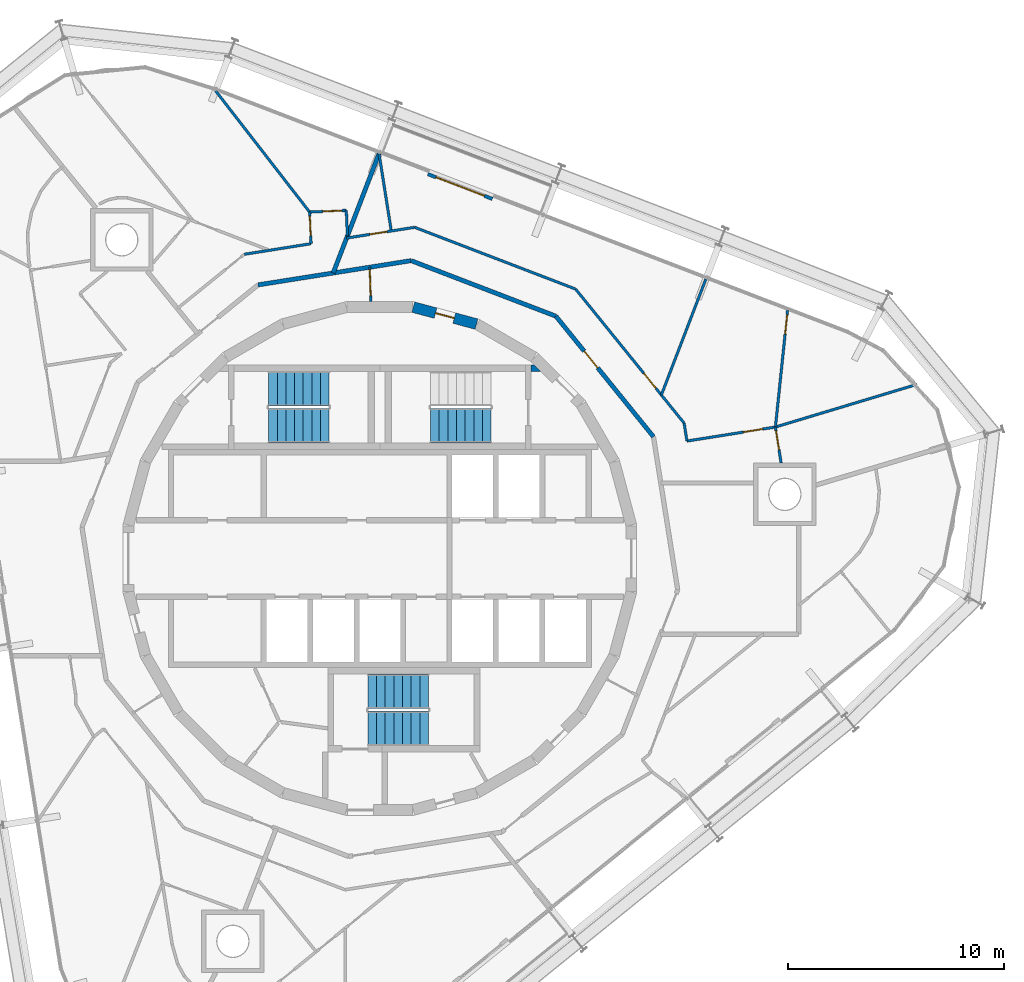
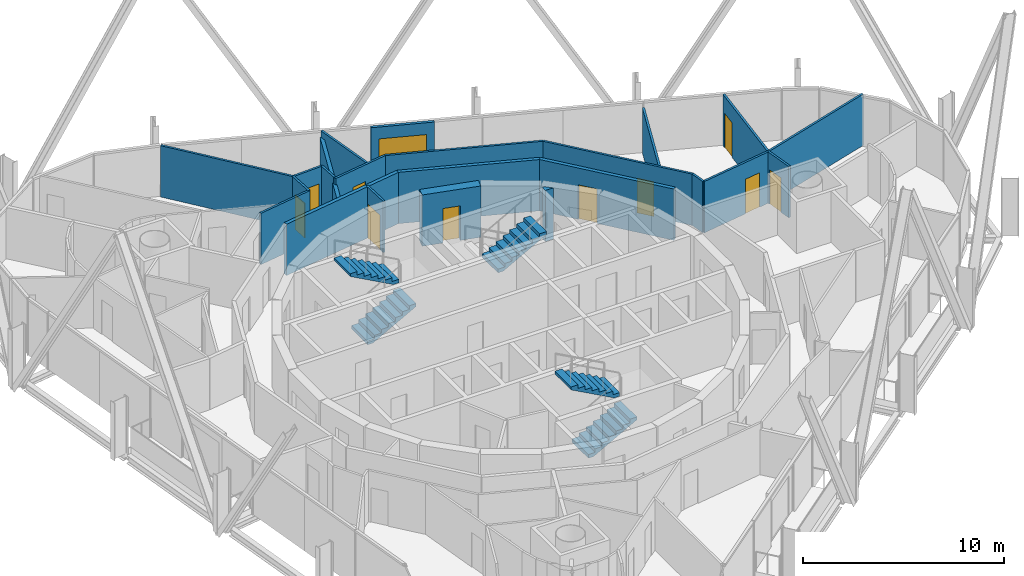
# One storey, part 16 of 18: 23 walls, 11 doors, 5 stair flights, 11 openings, 3 elements without a shape of their own.
"""IFC4 building model written with IfcOpenShell, lengths in metres."""

from ifc_helpers import new_model, si_unit, direction, frame, frame_2d, origin, place, context, subcontext, project, spatial, polyline, rectangle, outline, extrude, material, layer, layer_set, type_object, element, fill, aggregate, save


model = new_model("IFC4")

# Units and contexts
model_context = context("Model", 3, precision=1e-05, world=origin(), true_north=direction((0.0, 1.0)))
body_context = subcontext(model_context, "Body", "Model", "MODEL_VIEW")
ifc_project = project(units=[si_unit("LENGTHUNIT", "METRE"), si_unit("AREAUNIT", "SQUARE_METRE"), si_unit("VOLUMEUNIT", "CUBIC_METRE"), si_unit("PLANEANGLEUNIT", "RADIAN"), si_unit("MASSUNIT", "GRAM", prefix="KILO")], contexts=[model_context])

# Site, building, storey
site_placement = place(None, origin())
site = spatial("IfcSite", under=ifc_project, at=site_placement, CompositionType="ELEMENT")
building_placement = place(site_placement, origin())
building = spatial("IfcBuilding", under=site, at=building_placement, Name="Spindle Arch Residences", CompositionType="ELEMENT")
storey_placement = place(building_placement, frame((0.0, 0.0, 277.39990234375)))
storey = spatial("IfcBuildingStorey", under=building, at=storey_placement, Name="L71", CompositionType="ELEMENT", Elevation=277.39990234375)

# Wall, opening, door
ifc_material_1 = material(Name="Concrete C50/60", Category="concrete")
ifc_layer_1 = layer(ifc_material_1, 0.5)
ifc_layer_set_1 = layer_set([ifc_layer_1], Name="Core outline wall 500")
wall_type_1 = type_object("IfcWallType", Name="Core outline wall 500", PredefinedType="SHEAR", material=ifc_layer_set_1)
wall_1_placement = place(storey_placement, frame((4.479248046875, 10.858154296875, 0.0), z_axis=(0.0, 0.0, 1.0), x_axis=(-0.965948410781, 0.258734743916, 0.0)))
wall_1 = element("IfcWall", 1, at=wall_1_placement, inside=storey, type_object=wall_type_1, Name="Core outline wall 11", PredefinedType="SHEAR", context=body_context, shape_type="SweptSolid", body=[
    extrude(rectangle(XDim=3.03271484375, YDim=0.5, at=frame_2d((1.516357421875, 0.0))), origin(), (0.0, 0.0, 1.0), 3.1201171875),
])
opening_1_placement = place(wall_1_placement, frame((1.066162109375, 0.0, 0.0)))
opening_1 = element("IfcOpeningElement", 2, at=opening_1_placement, cuts=wall_1, Name="Opening R7B0-WD11", PredefinedType="OPENING", context=body_context, shape_type="SweptSolid", body=[
    extrude(rectangle(XDim=0.89990234375, YDim=2.10009765625, at=frame_2d((0.449951171875, 1.050048828125))), frame((0.0, 0.260009765625, 0.0), z_axis=(0.0, -1.0, 0.0), x_axis=(1.0, 0.0, 0.0)), (0.0, 0.0, 1.0), 0.52001953125),
])
ifc_material_2 = material(Name="Steel, fire-resisting door", Category="steel")
door_type_1 = type_object("IfcDoorType", Name="Service room door 900x2100", OperationType="SINGLE_SWING_LEFT", PredefinedType="DOOR", material=ifc_material_2)
door_1_placement = place(opening_1_placement, origin())
door_1 = element("IfcDoor", 3, at=door_1_placement, inside=storey, type_object=door_type_1, Name="Service room door R7B0-WD11", OperationType="SINGLE_SWING_LEFT", OverallHeight=2.10009765625, OverallWidth=0.89990234375, PredefinedType="DOOR", context=body_context, shape_type="SweptSolid", body=[
    extrude(rectangle(XDim=0.89990234375, YDim=2.10009765625, at=frame_2d((0.449951171875, 1.050048828125))), frame((0.0, 0.02490234375, 0.0), z_axis=(0.0, -1.0, 0.0), x_axis=(1.0, 0.0, 0.0)), (0.0, 0.0, 1.0), 0.050048828125),
])
fill(opening_1, door_1)

ifc_material_3 = material(Name="Plasterboard on steel studs", Category="steel")
ifc_layer_2 = layer(ifc_material_3, 0.1201171875)
ifc_layer_set_2 = layer_set([ifc_layer_2], Name="Corridor division wall 120")
wall_type_2 = type_object("IfcWallType", Name="Corridor division wall 120", PredefinedType="PARTITIONING", material=ifc_layer_set_2)
wall_2_placement = place(storey_placement, frame((-0.47119140625, 13.492431640625, 0.0), z_axis=(0.0, 0.0, 1.0), x_axis=(0.034873173869, -0.999391745886, 0.0)))
wall_2 = element("IfcWall", 4, at=wall_2_placement, inside=storey, type_object=wall_type_2, Name="Corridor division wall R7B0-W001", PredefinedType="PARTITIONING", context=body_context, shape_type="SweptSolid", body=[
    extrude(rectangle(XDim=1.59619140625, YDim=0.1201171875, at=frame_2d((0.798095703125, 0.0))), origin(), (0.0, 0.0, 1.0), 3.1201171875),
])
opening_2_placement = place(wall_2_placement, frame((0.1201171875, 0.0, 0.0)))
opening_2 = element("IfcOpeningElement", 5, at=opening_2_placement, cuts=wall_2, Name="Opening R7B0-CD01", PredefinedType="OPENING", context=body_context, shape_type="SweptSolid", body=[
    extrude(rectangle(XDim=1.199951171875, YDim=2.10009765625, at=frame_2d((0.60009765625, 1.050048828125))), frame((0.0, 0.070068359375, 0.0), z_axis=(0.0, -1.0, 0.0), x_axis=(1.0, 0.0, 0.0)), (0.0, 0.0, 1.0), 0.14013671875),
])
ifc_material_4 = material(Name="Steel, fire-resisting door", Category="steel")
door_type_2 = type_object("IfcDoorType", Name="Corridor division door 1200x2100", OperationType="NOTDEFINED", PredefinedType="DOOR", material=ifc_material_4)
door_2_placement = place(opening_2_placement, origin())
door_2 = element("IfcDoor", 6, at=door_2_placement, inside=storey, type_object=door_type_2, Name="Corridor division door R7B0-CD01", OperationType="DOUBLE_DOOR_SINGLE_SWING", OverallHeight=2.10009765625, OverallWidth=1.199951171875, PredefinedType="DOOR", context=body_context, shape_type="SweptSolid", body=[
    extrude(rectangle(XDim=1.199951171875, YDim=2.10009765625, at=frame_2d((0.60009765625, 1.050048828125))), frame((0.0, 0.02490234375, 0.0), z_axis=(0.0, -1.0, 0.0), x_axis=(1.0, 0.0, 0.0)), (0.0, 0.0, 1.0), 0.050048828125),
])
fill(opening_2, door_2)

ifc_material_5 = material(Name="Calcium silicate block, plastered")
ifc_layer_3 = layer(ifc_material_5, 0.199951171875)
ifc_layer_set_3 = layer_set([ifc_layer_3], Name="Corridor wall 200")
wall_type_3 = type_object("IfcWallType", Name="Corridor wall 200", PredefinedType="STANDARD", material=ifc_layer_set_3)
wall_3_placement = place(storey_placement, frame((12.67333984375, 5.642578125, 0.0), z_axis=(0.0, 0.0, 1.0), x_axis=(-0.629302871585, 0.777160148113, 0.0)))
wall_3 = element("IfcWall", 7, at=wall_3_placement, inside=storey, type_object=wall_type_3, Name="Corridor wall R7B0-W006", PredefinedType="STANDARD", context=body_context, shape_type="SweptSolid", body=[
    extrude(rectangle(XDim=7.180908203125, YDim=0.199951171875, at=frame_2d((3.59033203125, 0.0))), origin(), (0.0, 0.0, 1.0), 3.1201171875),
])
opening_3_placement = place(wall_3_placement, frame((4.10009765625, 0.0, 0.0)))
opening_3 = element("IfcOpeningElement", 8, at=opening_3_placement, cuts=wall_3, Name="Opening R7B0-FD01", PredefinedType="OPENING", context=body_context, shape_type="SweptSolid", body=[
    extrude(rectangle(XDim=1.0, YDim=2.10009765625, at=frame_2d((0.5, 1.050048828125))), frame((0.0, 0.10986328125, 0.0), z_axis=(0.0, -1.0, 0.0), x_axis=(1.0, 0.0, 0.0)), (0.0, 0.0, 1.0), 0.219970703125),
])
ifc_material_6 = material(Name="Timber, fire-resisting door set", Category="wood")
door_type_3 = type_object("IfcDoorType", Name="Flat entrance door 1000x2100", OperationType="NOTDEFINED", PredefinedType="DOOR", material=ifc_material_6)
door_3_placement = place(opening_3_placement, origin())
door_3 = element("IfcDoor", 9, at=door_3_placement, inside=storey, type_object=door_type_3, Name="Flat entrance door R7B0-FD01", OperationType="SINGLE_SWING_LEFT", OverallHeight=2.10009765625, OverallWidth=1.0, PredefinedType="DOOR", context=body_context, shape_type="SweptSolid", body=[
    extrude(rectangle(XDim=1.0, YDim=2.10009765625, at=frame_2d((0.5, 1.050048828125))), frame((0.0, 0.02490234375, 0.0), z_axis=(0.0, -1.0, 0.0), x_axis=(1.0, 0.0, 0.0)), (0.0, 0.0, 1.0), 0.050048828125),
])
fill(opening_3, door_3)

# Walls
wall_4_placement = place(storey_placement, frame((8.154296875, 11.223388671875, 0.0), z_axis=(0.0, 0.0, 1.0), x_axis=(-0.93359073609, 0.358341090983, 0.0)))
element("IfcWall", 10, at=wall_4_placement, inside=storey, type_object=wall_type_3, Name="Corridor wall R7B0-W007", PredefinedType="STANDARD", context=body_context, shape_type="SweptSolid", body=[
    extrude(rectangle(XDim=7.180908203125, YDim=0.199951171875, at=frame_2d((3.59033203125, 0.0))), origin(), (0.0, 0.0, 1.0), 3.1201171875),
])
wall_5_placement = place(storey_placement, frame((1.4501953125, 13.796630859375, 0.0), z_axis=(0.0, 0.0, 1.0), x_axis=(-0.987690361611, -0.156421704315, 0.0)))
element("IfcWall", 11, at=wall_5_placement, inside=storey, type_object=wall_type_3, Name="Corridor wall R7B0-W008", PredefinedType="STANDARD", context=body_context, shape_type="SweptSolid", body=[
    extrude(rectangle(XDim=7.18115234375, YDim=0.199951171875, at=frame_2d((3.590576171875, 0.0))), origin(), (0.0, 0.0, 1.0), 3.1201171875),
])

# Wall, opening, door
ifc_material_7 = material(Name="Plasterboard on steel studs", Category="steel")
ifc_layer_4 = layer(ifc_material_7, 0.1201171875)
ifc_layer_set_4 = layer_set([ifc_layer_4], Name="Flat partition 120")
wall_type_4 = type_object("IfcWallType", Name="Flat partition 120", PredefinedType="PARTITIONING", material=ifc_layer_set_4)
wall_6_placement = place(storey_placement, frame((18.5869140625, 4.421142578125, 0.0), z_axis=(0.0, 0.0, 1.0), x_axis=(-0.156474488977, 0.987682000595, 0.0)))
wall_6 = element("IfcWall", 12, at=wall_6_placement, inside=storey, type_object=wall_type_4, Name="Flat partition R7B0-W031", PredefinedType="PARTITIONING", context=body_context, shape_type="SweptSolid", body=[
    extrude(rectangle(XDim=1.689697265625, YDim=0.1201171875, at=frame_2d((0.8447265625, 0.0))), origin(), (0.0, 0.0, 1.0), 3.1201171875),
])
opening_4_placement = place(wall_6_placement, frame((0.6201171875, 0.0, 0.0)))
opening_4 = element("IfcOpeningElement", 13, at=opening_4_placement, cuts=wall_6, Name="Opening R7B0-ID01", PredefinedType="OPENING", context=body_context, shape_type="SweptSolid", body=[
    extrude(rectangle(XDim=0.89990234375, YDim=2.10009765625, at=frame_2d((0.449951171875, 1.050048828125))), frame((0.0, 0.070068359375, 0.0), z_axis=(0.0, -1.0, 0.0), x_axis=(1.0, 0.0, 0.0)), (0.0, 0.0, 1.0), 0.14013671875),
])
ifc_material_8 = material(Name="Timber door set", Category="wood")
door_type_4 = type_object("IfcDoorType", Name="Room door 900x2100", OperationType="NOTDEFINED", PredefinedType="DOOR", material=ifc_material_8)
door_4_placement = place(opening_4_placement, origin())
door_4 = element("IfcDoor", 14, at=door_4_placement, inside=storey, type_object=door_type_4, Name="Room door R7B0-ID01", OperationType="SINGLE_SWING_LEFT", OverallHeight=2.10009765625, OverallWidth=0.89990234375, PredefinedType="DOOR", context=body_context, shape_type="SweptSolid", body=[
    extrude(rectangle(XDim=0.89990234375, YDim=2.10009765625, at=frame_2d((0.449951171875, 1.050048828125))), frame((0.0, 0.02490234375, 0.0), z_axis=(0.0, -1.0, 0.0), x_axis=(1.0, 0.0, 0.0)), (0.0, 0.0, 1.0), 0.050048828125),
])
fill(opening_4, door_4)

wall_7_placement = place(storey_placement, frame((18.322509765625, 6.090087890625, 0.0), z_axis=(0.0, 0.0, 1.0), x_axis=(-0.987686518745, -0.156445967317, 0.0)))
wall_7 = element("IfcWall", 15, at=wall_7_placement, inside=storey, type_object=wall_type_4, Name="Flat partition R7B0-W032", PredefinedType="PARTITIONING", context=body_context, shape_type="SweptSolid", body=[
    extrude(rectangle(XDim=4.1494140625, YDim=0.1201171875, at=frame_2d((2.07470703125, 0.0))), origin(), (0.0, 0.0, 1.0), 3.1201171875),
])
opening_5_placement = place(wall_7_placement, frame((0.60009765625, 0.0, 0.0)))
opening_5 = element("IfcOpeningElement", 16, at=opening_5_placement, cuts=wall_7, Name="Opening R7B0-ID02", PredefinedType="OPENING", context=body_context, shape_type="SweptSolid", body=[
    extrude(rectangle(XDim=0.89990234375, YDim=2.10009765625, at=frame_2d((0.449951171875, 1.050048828125))), frame((0.0, 0.070068359375, 0.0), z_axis=(0.0, -1.0, 0.0), x_axis=(1.0, 0.0, 0.0)), (0.0, 0.0, 1.0), 0.14013671875),
])
door_5_placement = place(opening_5_placement, origin())
door_5 = element("IfcDoor", 17, at=door_5_placement, inside=storey, type_object=door_type_4, Name="Room door R7B0-ID02", OperationType="SINGLE_SWING_RIGHT", OverallHeight=2.10009765625, OverallWidth=0.89990234375, PredefinedType="DOOR", context=body_context, shape_type="SweptSolid", body=[
    extrude(rectangle(XDim=0.89990234375, YDim=2.10009765625, at=frame_2d((0.449951171875, 1.050048828125))), frame((0.0, 0.02490234375, 0.0), z_axis=(0.0, -1.0, 0.0), x_axis=(1.0, 0.0, 0.0)), (0.0, 0.0, 1.0), 0.050048828125),
])
fill(opening_5, door_5)

# Wall
wall_8_placement = place(storey_placement, frame((14.22412109375, 5.44091796875, 0.0), z_axis=(0.0, 0.0, 1.0), x_axis=(-0.156556956418, 0.987668932081, 0.0)))
element("IfcWall", 18, at=wall_8_placement, inside=storey, type_object=wall_type_4, Name="Flat partition R7B0-W033", PredefinedType="PARTITIONING", context=body_context, shape_type="SweptSolid", body=[
    extrude(rectangle(XDim=0.84375, YDim=0.1201171875, at=frame_2d((0.421875, 0.0))), origin(), (0.0, 0.0, 1.0), 3.1201171875),
])

# Wall, opening, door
wall_9_placement = place(storey_placement, frame((14.092041015625, 6.274169921875, 0.0), z_axis=(0.0, 0.0, 1.0), x_axis=(-0.62933367237, 0.777135206268, 0.0)))
wall_9 = element("IfcWall", 19, at=wall_9_placement, inside=storey, type_object=wall_type_4, Name="Flat partition R7B0-W034", PredefinedType="PARTITIONING", context=body_context, shape_type="SweptSolid", body=[
    extrude(rectangle(XDim=7.98486328125, YDim=0.1201171875, at=frame_2d((3.992431640625, 0.0))), origin(), (0.0, 0.0, 1.0), 3.1201171875),
])
opening_6_placement = place(wall_9_placement, frame((2.07275390625, 0.0, 0.0)))
opening_6 = element("IfcOpeningElement", 20, at=opening_6_placement, cuts=wall_9, Name="Opening R7B0-ID03", PredefinedType="OPENING", context=body_context, shape_type="SweptSolid", body=[
    extrude(rectangle(XDim=0.89990234375, YDim=2.10009765625, at=frame_2d((0.449951171875, 1.050048828125))), frame((0.0, 0.070068359375, 0.0), z_axis=(0.0, -1.0, 0.0), x_axis=(1.0, 0.0, 0.0)), (0.0, 0.0, 1.0), 0.14013671875),
])
door_6_placement = place(opening_6_placement, origin())
door_6 = element("IfcDoor", 21, at=door_6_placement, inside=storey, type_object=door_type_4, Name="Room door R7B0-ID03", OperationType="SINGLE_SWING_LEFT", OverallHeight=2.10009765625, OverallWidth=0.89990234375, PredefinedType="DOOR", context=body_context, shape_type="SweptSolid", body=[
    extrude(rectangle(XDim=0.89990234375, YDim=2.10009765625, at=frame_2d((0.449951171875, 1.050048828125))), frame((0.0, 0.02490234375, 0.0), z_axis=(0.0, -1.0, 0.0), x_axis=(1.0, 0.0, 0.0)), (0.0, 0.0, 1.0), 0.050048828125),
])
fill(opening_6, door_6)

# Wall
wall_10_placement = place(storey_placement, frame((9.06689453125, 12.4794921875, 0.0), z_axis=(0.0, 0.0, 1.0), x_axis=(-0.933579449035, 0.358370495911, 0.0)))
element("IfcWall", 22, at=wall_10_placement, inside=storey, type_object=wall_type_4, Name="Flat partition R7B0-W035", PredefinedType="PARTITIONING", context=body_context, shape_type="SweptSolid", body=[
    extrude(rectangle(XDim=7.98486328125, YDim=0.1201171875, at=frame_2d((3.992431640625, 0.0))), origin(), (0.0, 0.0, 1.0), 3.1201171875),
])

# Wall, opening, door
wall_11_placement = place(storey_placement, frame((1.6123046875, 15.341064453125, 0.0), z_axis=(0.0, 0.0, 1.0), x_axis=(-0.987687176419, -0.156441815179, 0.0)))
wall_11 = element("IfcWall", 23, at=wall_11_placement, inside=storey, type_object=wall_type_4, Name="Flat partition R7B0-W036", PredefinedType="PARTITIONING", context=body_context, shape_type="SweptSolid", body=[
    extrude(rectangle(XDim=3.19140625, YDim=0.1201171875, at=frame_2d((1.595703125, 0.0))), origin(), (0.0, 0.0, 1.0), 3.1201171875),
])
opening_7_placement = place(wall_11_placement, frame((1.29541015625, 0.0, 0.0)))
opening_7 = element("IfcOpeningElement", 24, at=opening_7_placement, cuts=wall_11, Name="Opening R7B0-BD01", PredefinedType="OPENING", context=body_context, shape_type="SweptSolid", body=[
    extrude(rectangle(XDim=0.800048828125, YDim=2.10009765625, at=frame_2d((0.39990234375, 1.050048828125))), frame((0.0, 0.070068359375, 0.0), z_axis=(0.0, -1.0, 0.0), x_axis=(1.0, 0.0, 0.0)), (0.0, 0.0, 1.0), 0.14013671875),
])
ifc_material_9 = material(Name="Timber door set", Category="wood")
door_type_5 = type_object("IfcDoorType", Name="Bathroom door 800x2100", OperationType="NOTDEFINED", PredefinedType="DOOR", material=ifc_material_9)
door_7_placement = place(opening_7_placement, origin())
door_7 = element("IfcDoor", 25, at=door_7_placement, inside=storey, type_object=door_type_5, Name="Bathroom door R7B0-BD01", OperationType="SINGLE_SWING_RIGHT", OverallHeight=2.10009765625, OverallWidth=0.800048828125, PredefinedType="DOOR", context=body_context, shape_type="SweptSolid", body=[
    extrude(rectangle(XDim=0.800048828125, YDim=2.10009765625, at=frame_2d((0.39990234375, 1.050048828125))), frame((0.0, 0.02490234375, 0.0), z_axis=(0.0, -1.0, 0.0), x_axis=(1.0, 0.0, 0.0)), (0.0, 0.0, 1.0), 0.050048828125),
])
fill(opening_7, door_7)

# Wall
wall_12_placement = place(storey_placement, frame((24.8828125, 8.066650390625, 0.0), z_axis=(0.0, 0.0, 1.0), x_axis=(-0.957485305222, -0.288482044995, 0.0)))
element("IfcWall", 26, at=wall_12_placement, inside=storey, type_object=wall_type_4, Name="Flat partition R7B0-W037", PredefinedType="PARTITIONING", context=body_context, shape_type="SweptSolid", body=[
    extrude(rectangle(XDim=6.8515625, YDim=0.1201171875, at=frame_2d((3.42578125, 0.0))), origin(), (0.0, 0.0, 1.0), 3.1201171875),
])

# Wall, opening, door
wall_13_placement = place(storey_placement, frame((18.885498046875, 11.491943359375, 0.0), z_axis=(0.0, 0.0, 1.0), x_axis=(-0.10365981832, -0.994612810126, 0.0)))
wall_13 = element("IfcWall", 27, at=wall_13_placement, inside=storey, type_object=wall_type_4, Name="Flat partition R7B0-W038", PredefinedType="PARTITIONING", context=body_context, shape_type="SweptSolid", body=[
    extrude(rectangle(XDim=5.43115234375, YDim=0.1201171875, at=frame_2d((2.715576171875, 0.0))), origin(), (0.0, 0.0, 1.0), 3.1201171875),
])
opening_8_placement = place(wall_13_placement, frame((0.199951171875, 0.0, 0.0)))
opening_8 = element("IfcOpeningElement", 28, at=opening_8_placement, cuts=wall_13, Name="Opening R7B0-ID04", PredefinedType="OPENING", context=body_context, shape_type="SweptSolid", body=[
    extrude(rectangle(XDim=0.89990234375, YDim=2.10009765625, at=frame_2d((0.449951171875, 1.050048828125))), frame((0.0, 0.070068359375, 0.0), z_axis=(0.0, -1.0, 0.0), x_axis=(1.0, 0.0, 0.0)), (0.0, 0.0, 1.0), 0.14013671875),
])
door_8_placement = place(opening_8_placement, origin())
door_8 = element("IfcDoor", 29, at=door_8_placement, inside=storey, type_object=door_type_4, Name="Room door R7B0-ID04", OperationType="SINGLE_SWING_LEFT", OverallHeight=2.10009765625, OverallWidth=0.89990234375, PredefinedType="DOOR", context=body_context, shape_type="SweptSolid", body=[
    extrude(rectangle(XDim=0.89990234375, YDim=2.10009765625, at=frame_2d((0.449951171875, 1.050048828125))), frame((0.0, 0.02490234375, 0.0), z_axis=(0.0, -1.0, 0.0), x_axis=(1.0, 0.0, 0.0)), (0.0, 0.0, 1.0), 0.050048828125),
])
fill(opening_8, door_8)

# Walls
wall_14_placement = place(storey_placement, frame((-0.037353515625, 18.755615234375, 0.0), z_axis=(0.0, 0.0, 1.0), x_axis=(0.156421851095, -0.987690338365, 0.0)))
element("IfcWall", 30, at=wall_14_placement, inside=storey, type_object=wall_type_4, Name="Flat partition R7B0-W040", PredefinedType="PARTITIONING", context=body_context, shape_type="SweptSolid", body=[
    extrude(rectangle(XDim=3.63037109375, YDim=0.1201171875, at=frame_2d((1.815185546875, 0.0))), origin(), (0.0, 0.0, 1.0), 3.1201171875),
])
wall_15_placement = place(storey_placement, frame((-1.499755859375, 14.946044921875, 0.0), z_axis=(0.0, 0.0, 1.0), x_axis=(-0.045923747874, 0.998944948123, 0.0)))
element("IfcWall", 31, at=wall_15_placement, inside=storey, type_object=wall_type_4, Name="Flat partition R7B0-W041", PredefinedType="PARTITIONING", context=body_context, shape_type="SweptSolid", body=[
    extrude(rectangle(XDim=1.18017578125, YDim=0.1201171875, at=frame_2d((0.590087890625, 0.0))), origin(), (0.0, 0.0, 1.0), 3.1201171875),
])

# Wall, opening, door
wall_16_placement = place(storey_placement, frame((-1.553955078125, 16.125, 0.0), z_axis=(0.0, 0.0, 1.0), x_axis=(-0.998943517875, -0.045954848436, 0.0)))
wall_16 = element("IfcWall", 32, at=wall_16_placement, inside=storey, type_object=wall_type_4, Name="Flat partition R7B0-W042", PredefinedType="PARTITIONING", context=body_context, shape_type="SweptSolid", body=[
    extrude(rectangle(XDim=1.699951171875, YDim=0.1201171875, at=frame_2d((0.85009765625, 0.0))), origin(), (0.0, 0.0, 1.0), 3.1201171875),
])
opening_9_placement = place(wall_16_placement, frame((0.199951171875, 0.0, 0.0)))
opening_9 = element("IfcOpeningElement", 33, at=opening_9_placement, cuts=wall_16, Name="Opening R7B0-ID05", PredefinedType="OPENING", context=body_context, shape_type="SweptSolid", body=[
    extrude(rectangle(XDim=0.89990234375, YDim=2.10009765625, at=frame_2d((0.449951171875, 1.050048828125))), frame((0.0, 0.070068359375, 0.0), z_axis=(0.0, -1.0, 0.0), x_axis=(1.0, 0.0, 0.0)), (0.0, 0.0, 1.0), 0.14013671875),
])
door_9_placement = place(opening_9_placement, origin())
door_9 = element("IfcDoor", 34, at=door_9_placement, inside=storey, type_object=door_type_4, Name="Room door R7B0-ID05", OperationType="SINGLE_SWING_RIGHT", OverallHeight=2.10009765625, OverallWidth=0.89990234375, PredefinedType="DOOR", context=body_context, shape_type="SweptSolid", body=[
    extrude(rectangle(XDim=0.89990234375, YDim=2.10009765625, at=frame_2d((0.449951171875, 1.050048828125))), frame((0.0, 0.02490234375, 0.0), z_axis=(0.0, -1.0, 0.0), x_axis=(1.0, 0.0, 0.0)), (0.0, 0.0, 1.0), 0.050048828125),
])
fill(opening_9, door_9)

wall_17_placement = place(storey_placement, frame((-3.252197265625, 16.046875, 0.0), z_axis=(0.0, 0.0, 1.0), x_axis=(0.045928493331, -0.998944729953, 0.0)))
wall_17 = element("IfcWall", 35, at=wall_17_placement, inside=storey, type_object=wall_type_4, Name="Flat partition R7B0-W043", PredefinedType="PARTITIONING", context=body_context, shape_type="SweptSolid", body=[
    extrude(rectangle(XDim=1.467041015625, YDim=0.1201171875, at=frame_2d((0.7333984375, 0.0))), origin(), (0.0, 0.0, 1.0), 3.1201171875),
])
opening_10_placement = place(wall_17_placement, frame((0.199951171875, 0.0, 0.0)))
opening_10 = element("IfcOpeningElement", 36, at=opening_10_placement, cuts=wall_17, Name="Opening R7B0-ID06", PredefinedType="OPENING", context=body_context, shape_type="SweptSolid", body=[
    extrude(rectangle(XDim=0.89990234375, YDim=2.10009765625, at=frame_2d((0.449951171875, 1.050048828125))), frame((0.0, 0.070068359375, 0.0), z_axis=(0.0, -1.0, 0.0), x_axis=(1.0, 0.0, 0.0)), (0.0, 0.0, 1.0), 0.14013671875),
])
door_10_placement = place(opening_10_placement, origin())
door_10 = element("IfcDoor", 37, at=door_10_placement, inside=storey, type_object=door_type_4, Name="Room door R7B0-ID06", OperationType="SINGLE_SWING_LEFT", OverallHeight=2.10009765625, OverallWidth=0.89990234375, PredefinedType="DOOR", context=body_context, shape_type="SweptSolid", body=[
    extrude(rectangle(XDim=0.89990234375, YDim=2.10009765625, at=frame_2d((0.449951171875, 1.050048828125))), frame((0.0, 0.02490234375, 0.0), z_axis=(0.0, -1.0, 0.0), x_axis=(1.0, 0.0, 0.0)), (0.0, 0.0, 1.0), 0.050048828125),
])
fill(opening_10, door_10)

# Walls
wall_18_placement = place(storey_placement, frame((-3.184814453125, 14.581298828125, 0.0), z_axis=(0.0, 0.0, 1.0), x_axis=(-0.987690712769, -0.156419486991, 0.0)))
element("IfcWall", 38, at=wall_18_placement, inside=storey, type_object=wall_type_4, Name="Flat partition R7B0-W044", PredefinedType="PARTITIONING", context=body_context, shape_type="SweptSolid", body=[
    extrude(rectangle(XDim=3.1279296875, YDim=0.1201171875, at=frame_2d((1.56396484375, 0.0))), origin(), (0.0, 0.0, 1.0), 3.1201171875),
])
wall_19_placement = place(storey_placement, frame((-7.6064453125, 21.6611328125, 0.0), z_axis=(0.0, 0.0, 1.0), x_axis=(0.612852858705, -0.79019704731, 0.0)))
element("IfcWall", 39, at=wall_19_placement, inside=storey, type_object=wall_type_4, Name="Flat partition R7B0-W046", PredefinedType="PARTITIONING", context=body_context, shape_type="SweptSolid", body=[
    extrude(rectangle(XDim=7.10498046875, YDim=0.1201171875, at=frame_2d((3.552490234375, 0.0))), origin(), (0.0, 0.0, 1.0), 3.1201171875),
])
ifc_material_10 = material(Name="Plasterboard on steel studs", Category="steel")
ifc_layer_5 = layer(ifc_material_10, 0.1201171875)
ifc_layer_set_5 = layer_set([ifc_layer_5], Name="Flat partition 120 under beam 2730")
wall_type_5 = type_object("IfcWallType", Name="Flat partition 120 under beam 2730", PredefinedType="PARTITIONING", material=ifc_layer_set_5)
wall_20_placement = place(storey_placement, frame((15.100830078125, 12.944580078125, 0.0), z_axis=(0.0, 0.0, 1.0), x_axis=(-0.358373232579, -0.933578398513, 0.0)))
element("IfcWall", 40, at=wall_20_placement, inside=storey, type_object=wall_type_5, Name="Flat partition R7B0-W039", PredefinedType="PARTITIONING", context=body_context, shape_type="SweptSolid", body=[
    extrude(rectangle(XDim=5.75244140625, YDim=0.1201171875, at=frame_2d((2.876220703125, 0.0))), origin(), (0.0, 0.0, 1.0), 2.72998046875),
])
ifc_material_11 = material(Name="Calcium silicate block, plastered")
ifc_layer_6 = layer(ifc_material_11, 0.199951171875)
ifc_layer_set_6 = layer_set([ifc_layer_6], Name="Flat party wall 200 under beam 2730")
wall_type_6 = type_object("IfcWallType", Name="Flat party wall 200 under beam 2730", PredefinedType="STANDARD", material=ifc_layer_set_6)
wall_21_placement = place(storey_placement, frame((-0.037353515625, 18.755615234375, 0.0), z_axis=(0.0, 0.0, 1.0), x_axis=(-0.358365943542, -0.933581196527, 0.0)))
element("IfcWall", 41, at=wall_21_placement, inside=storey, type_object=wall_type_6, Name="Flat party wall R7B0-W023", PredefinedType="STANDARD", context=body_context, shape_type="SweptSolid", body=[
    extrude(rectangle(XDim=5.92431640625, YDim=0.199951171875, at=frame_2d((2.962158203125, 0.0))), origin(), (0.0, 0.0, 1.0), 2.72998046875),
])

# Wall, opening, door
ifc_material_12 = material(Name="Non-combustible mineral wool insulated aluminium faced external wall (K0)", Category="aluminium")
ifc_layer_7 = layer(ifc_material_12, 0.159912109375)
ifc_layer_set_7 = layer_set([ifc_layer_7], Name="Insulated external wall panel 160")
wall_type_7 = type_object("IfcWallType", Name="Insulated external wall panel 160", PredefinedType="STANDARD", material=ifc_layer_set_7)
wall_22_placement = place(storey_placement, frame((5.212158203125, 16.655029296875, 0.0), z_axis=(0.0, 0.0, 1.0), x_axis=(-0.933579413923, 0.358370587381, 0.0)))
wall_22 = element("IfcWall", 42, at=wall_22_placement, inside=storey, type_object=wall_type_7, Name="External wall L71 bay 7", PredefinedType="STANDARD", context=body_context, shape_type="SweptSolid", body=[
    extrude(rectangle(XDim=3.199951171875, YDim=0.159912109375, at=frame_2d((1.60009765625, 0.0))), origin(), (0.0, 0.0, 1.0), 3.1201171875),
])
opening_11_placement = place(wall_22_placement, frame((0.39990234375, 0.0, 0.0)))
opening_11 = element("IfcOpeningElement", 43, at=opening_11_placement, cuts=wall_22, Name="Opening BD07", PredefinedType="OPENING", context=body_context, shape_type="SweptSolid", body=[
    extrude(rectangle(XDim=2.39990234375, YDim=2.39990234375, at=frame_2d((1.199951171875, 1.199951171875))), frame((0.0, 0.08984375, 0.0), z_axis=(0.0, -1.0, 0.0), x_axis=(1.0, 0.0, 0.0)), (0.0, 0.0, 1.0), 0.179931640625),
])
ifc_material_13 = material(Name="Bronze aluminium frame, tinted double glazing", Category="aluminium")
door_type_6 = type_object("IfcDoorType", Name="Sliding glazed balcony door 2400x2400", OperationType="DOUBLE_DOOR_SLIDING", PredefinedType="DOOR", material=ifc_material_13)
door_11_placement = place(opening_11_placement, origin())
door_11 = element("IfcDoor", 44, at=door_11_placement, inside=storey, type_object=door_type_6, Name="Balcony door BD07", OperationType="DOUBLE_DOOR_SLIDING", OverallHeight=2.39990234375, OverallWidth=2.39990234375, PredefinedType="DOOR", context=body_context, shape_type="SweptSolid", body=[
    extrude(rectangle(XDim=2.39990234375, YDim=2.39990234375, at=frame_2d((1.199951171875, 1.199951171875))), frame((0.0, 0.02490234375, 0.0), z_axis=(0.0, -1.0, 0.0), x_axis=(1.0, 0.0, 0.0)), (0.0, 0.0, 1.0), 0.050048828125),
])
fill(opening_11, door_11)

# Wall
ifc_material_14 = material(Name="Concrete C40/50", Category="concrete")
wall_type_8 = type_object("IfcWallType", Name="Stair airlock wall profile", PredefinedType="SHEAR", material=ifc_material_14)
wall_23_placement = place(storey_placement, origin())
element("IfcWall", 45, at=wall_23_placement, inside=storey, type_object=wall_type_8, Name="Stair ST-1 airlock wall N", PredefinedType="SHEAR", context=body_context, shape_type="SweptSolid", body=[
    extrude(outline(polyline([(7.4482421875, 8.669921875), (7.0, 8.669921875), (7.0, 8.969970703125), (7.148193359375, 8.969970703125), (7.4482421875, 8.669921875)])), origin(), (0.0, 0.0, 1.0), 3.1201171875),
])

# Stair, stair flight
ifc_material_15 = material(Name="Concrete C50/60", Category="concrete")
stair_type = type_object("IfcStairType", Name="Exit stair 16 risers", PredefinedType="HALF_TURN_STAIR", material=ifc_material_15)
stair_1_placement = place(storey_placement, origin())
stair_1 = element("IfcStair", 46, at=stair_1_placement, inside=storey, type_object=stair_type, Name="L71 Exit stair ST1", PredefinedType="HALF_TURN_STAIR")
ifc_material_16 = material(Name="Concrete C50/60", Category="concrete")
stair_flight_type = type_object("IfcStairFlightType", Name="Exit stair flight", PredefinedType="STRAIGHT", material=ifc_material_16)
stair_flight_1_placement = place(storey_placement, frame((2.35009765625, 6.14990234375, 1.75), z_axis=(0.0, 0.0, 1.0), x_axis=(1.0, 0.0, 0.0)))
stair_flight_1 = element("IfcStairFlight", 47, at=stair_flight_1_placement, type_object=stair_flight_type, Name="ST1 flight 2", NumberOfRisers=8, NumberOfTreads=7, PredefinedType="STRAIGHT", RiserHeight=0.21875, TreadLength=0.4, context=body_context, shape_type="SweptSolid", body=[
    extrude(outline(polyline([(0.0, 0.0), (0.0, 0.21875), (0.39990234375, 0.21875), (0.39990234375, 0.4375), (0.800048828125, 0.4375), (0.800048828125, 0.65625), (1.199951171875, 0.65625), (1.199951171875, 0.875), (1.60009765625, 0.875), (1.60009765625, 1.09375), (2.0, 1.09375), (2.0, 1.3125), (2.39990234375, 1.3125), (2.39990234375, 1.53125), (2.800048828125, 1.53125), (2.800048828125, 1.75), (2.800048828125, 1.3603515625), (0.3125, 0.0), (0.0, 0.0)])), frame((0.0, 0.800048828125, 0.0), z_axis=(0.0, -1.0, 0.0), x_axis=(1.0, 0.0, 0.0)), (0.0, 0.0, 1.0), 1.60009765625),
])
aggregate(stair_1, [stair_flight_1])

# Stair, stair flights
stair_2_placement = place(storey_placement, origin())
stair_2 = element("IfcStair", 48, at=stair_2_placement, inside=storey, type_object=stair_type, Name="L71 Exit stair ST2", PredefinedType="HALF_TURN_STAIR")
stair_flight_2_placement = place(storey_placement, frame((-5.14990234375, 6.14990234375, 0.0), z_axis=(0.0, 0.0, 1.0), x_axis=(1.0, 0.0, 0.0)))
stair_flight_2 = element("IfcStairFlight", 49, at=stair_flight_2_placement, type_object=stair_flight_type, Name="ST2 flight 1", NumberOfRisers=8, NumberOfTreads=7, PredefinedType="STRAIGHT", RiserHeight=0.21875, TreadLength=0.4, context=body_context, shape_type="SweptSolid", body=[
    extrude(outline(polyline([(0.0, 0.0), (0.0, 0.21875), (0.39990234375, 0.21875), (0.39990234375, 0.4375), (0.800048828125, 0.4375), (0.800048828125, 0.65625), (1.199951171875, 0.65625), (1.199951171875, 0.875), (1.60009765625, 0.875), (1.60009765625, 1.09375), (2.0, 1.09375), (2.0, 1.3125), (2.39990234375, 1.3125), (2.39990234375, 1.53125), (2.800048828125, 1.53125), (2.800048828125, 1.75), (2.800048828125, 1.3603515625), (0.3125, 0.0), (0.0, 0.0)])), frame((0.0, 0.800048828125, 0.0), z_axis=(0.0, -1.0, 0.0), x_axis=(1.0, 0.0, 0.0)), (0.0, 0.0, 1.0), 1.60009765625),
])
stair_flight_3_placement = place(storey_placement, frame((-2.35009765625, 7.8701171875, 1.75), z_axis=(0.0, 0.0, 1.0), x_axis=(-1.0, 0.0, 0.0)))
stair_flight_3 = element("IfcStairFlight", 50, at=stair_flight_3_placement, type_object=stair_flight_type, Name="ST2 flight 2", NumberOfRisers=8, NumberOfTreads=7, PredefinedType="STRAIGHT", RiserHeight=0.21875, TreadLength=0.4, context=body_context, shape_type="SweptSolid", body=[
    extrude(outline(polyline([(0.0, 0.0), (0.0, 0.21875), (0.39990234375, 0.21875), (0.39990234375, 0.4375), (0.800048828125, 0.4375), (0.800048828125, 0.65625), (1.199951171875, 0.65625), (1.199951171875, 0.875), (1.60009765625, 0.875), (1.60009765625, 1.09375), (2.0, 1.09375), (2.0, 1.3125), (2.39990234375, 1.3125), (2.39990234375, 1.53125), (2.800048828125, 1.53125), (2.800048828125, 1.75), (2.800048828125, 1.3603515625), (0.3125, 0.0), (0.0, 0.0)])), frame((0.0, 0.800048828125, 0.0), z_axis=(0.0, -1.0, 0.0), x_axis=(1.0, 0.0, 0.0)), (0.0, 0.0, 1.0), 1.60009765625),
])
aggregate(stair_2, [stair_flight_2, stair_flight_3])

stair_3_placement = place(storey_placement, origin())
stair_3 = element("IfcStair", 51, at=stair_3_placement, inside=storey, type_object=stair_type, Name="L71 Exit stair ST3", PredefinedType="HALF_TURN_STAIR")
stair_flight_4_placement = place(storey_placement, frame((-0.550048828125, -7.8701171875, 0.0), z_axis=(0.0, 0.0, 1.0), x_axis=(1.0, 0.0, 0.0)))
stair_flight_4 = element("IfcStairFlight", 52, at=stair_flight_4_placement, type_object=stair_flight_type, Name="ST3 flight 1", NumberOfRisers=8, NumberOfTreads=7, PredefinedType="STRAIGHT", RiserHeight=0.21875, TreadLength=0.4, context=body_context, shape_type="SweptSolid", body=[
    extrude(outline(polyline([(0.0, 0.0), (0.0, 0.21875), (0.39990234375, 0.21875), (0.39990234375, 0.4375), (0.800048828125, 0.4375), (0.800048828125, 0.65625), (1.199951171875, 0.65625), (1.199951171875, 0.875), (1.60009765625, 0.875), (1.60009765625, 1.09375), (2.0, 1.09375), (2.0, 1.3125), (2.39990234375, 1.3125), (2.39990234375, 1.53125), (2.800048828125, 1.53125), (2.800048828125, 1.75), (2.800048828125, 1.3603515625), (0.3125, 0.0), (0.0, 0.0)])), frame((0.0, 0.800048828125, 0.0), z_axis=(0.0, -1.0, 0.0), x_axis=(1.0, 0.0, 0.0)), (0.0, 0.0, 1.0), 1.60009765625),
])
stair_flight_5_placement = place(storey_placement, frame((2.25, -6.14990234375, 1.75), z_axis=(0.0, 0.0, 1.0), x_axis=(-1.0, 0.0, 0.0)))
stair_flight_5 = element("IfcStairFlight", 53, at=stair_flight_5_placement, type_object=stair_flight_type, Name="ST3 flight 2", NumberOfRisers=8, NumberOfTreads=7, PredefinedType="STRAIGHT", RiserHeight=0.21875, TreadLength=0.4, context=body_context, shape_type="SweptSolid", body=[
    extrude(outline(polyline([(0.0, 0.0), (0.0, 0.21875), (0.39990234375, 0.21875), (0.39990234375, 0.4375), (0.800048828125, 0.4375), (0.800048828125, 0.65625), (1.199951171875, 0.65625), (1.199951171875, 0.875), (1.60009765625, 0.875), (1.60009765625, 1.09375), (2.0, 1.09375), (2.0, 1.3125), (2.39990234375, 1.3125), (2.39990234375, 1.53125), (2.800048828125, 1.53125), (2.800048828125, 1.75), (2.800048828125, 1.3603515625), (0.3125, 0.0), (0.0, 0.0)])), frame((0.0, 0.800048828125, 0.0), z_axis=(0.0, -1.0, 0.0), x_axis=(1.0, 0.0, 0.0)), (0.0, 0.0, 1.0), 1.60009765625),
])
aggregate(stair_3, [stair_flight_4, stair_flight_5])

save(model, "model.ifc")
